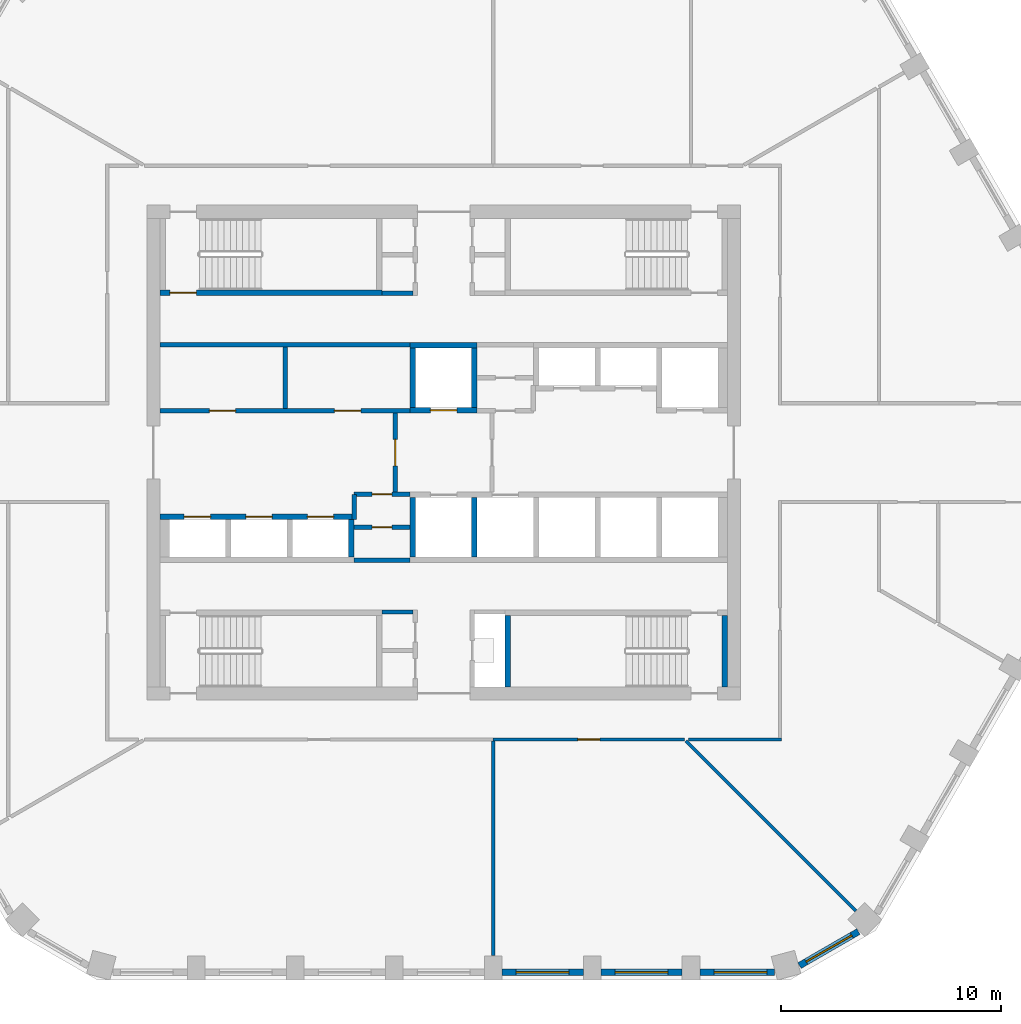
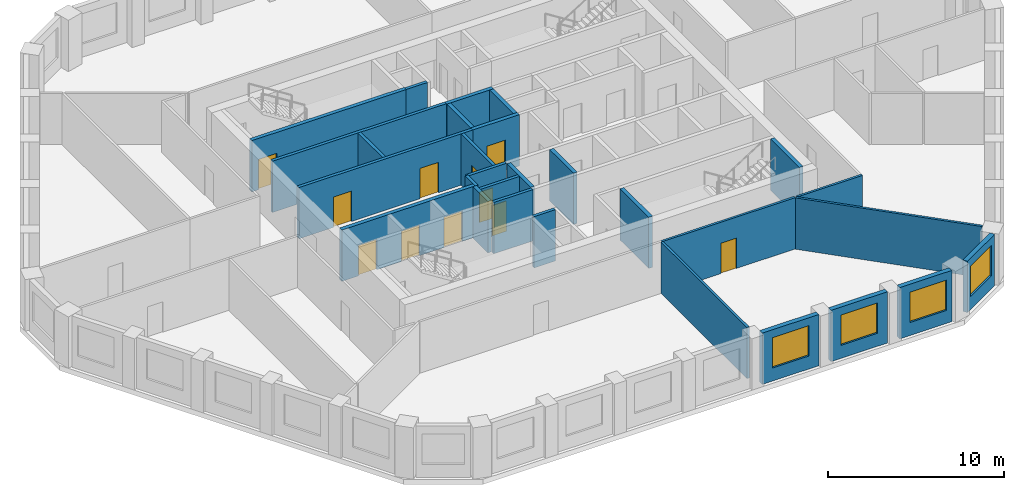
# One storey, part 3 of 8: 29 walls, 11 doors, 4 windows, 15 openings.
"""IFC4 building model written with IfcOpenShell, lengths in metres."""

from ifc_helpers import new_model, si_unit, direction, frame, frame_2d, origin, place, context, subcontext, project, spatial, polyline, rectangle, outline, extrude, material, layer, layer_set, type_object, element, fill, save


model = new_model("IFC4")

# Units and contexts
model_context = context("Model", 3, precision=1e-05, world=origin(), true_north=direction((0.0, 1.0)))
body_context = subcontext(model_context, "Body", "Model", "MODEL_VIEW")
ifc_project = project(units=[si_unit("LENGTHUNIT", "METRE"), si_unit("AREAUNIT", "SQUARE_METRE"), si_unit("VOLUMEUNIT", "CUBIC_METRE"), si_unit("PLANEANGLEUNIT", "RADIAN"), si_unit("MASSUNIT", "GRAM", prefix="KILO")], contexts=[model_context])

# Site, building, storey
site_placement = place(None, origin())
site = spatial("IfcSite", under=ifc_project, at=site_placement, CompositionType="ELEMENT")
building_placement = place(site_placement, origin())
building = spatial("IfcBuilding", under=site, at=building_placement, Name="Dhurran Vertical Campus", CompositionType="ELEMENT")
storey_placement = place(building_placement, frame((0.0, 0.0, 222.89990234375)))
storey = spatial("IfcBuildingStorey", under=building, at=storey_placement, Name="L55", CompositionType="ELEMENT", Elevation=222.89990234375)

# Wall, opening, window
ifc_material_1 = material(Name="Precast concrete C50/60", Category="concrete")
ifc_layer_1 = layer(ifc_material_1, 0.300048828125)
ifc_layer_set_1 = layer_set([ifc_layer_1], Name="Precast concrete C50/60")
wall_type_1 = type_object("IfcWallType", Name="Precast spandrel wall 300", PredefinedType="SOLIDWALL", material=ifc_layer_set_1)
wall_1_placement = place(storey_placement, frame((2.650390625, -23.635498046875, 0.0), z_axis=(0.0, 0.0, 1.0), x_axis=(1.0, 0.0, 0.0)))
wall_1 = element("IfcWall", 1, at=wall_1_placement, inside=storey, type_object=wall_type_1, Name="EW1 L55.04", PredefinedType="SOLIDWALL", context=body_context, shape_type="SweptSolid", body=[
    extrude(rectangle(XDim=3.69921875, YDim=0.300048828125, at=frame_2d((1.849609375, 0.0))), origin(), (0.0, 0.0, 1.0), 3.550048828125),
])
opening_1_placement = place(wall_1_placement, frame((0.6494140625, 0.0, 0.89990234375)))
opening_1 = element("IfcOpeningElement", 2, at=opening_1_placement, cuts=wall_1, Name="Opening WT1", PredefinedType="OPENING", context=body_context, shape_type="SweptSolid", body=[
    extrude(rectangle(XDim=2.39990234375, YDim=2.10009765625, at=frame_2d((1.199951171875, 1.050048828125))), frame((0.0, 0.159912109375, 0.0), z_axis=(0.0, -1.0, 0.0), x_axis=(1.0, 0.0, 0.0)), (0.0, 0.0, 1.0), 0.320068359375),
])
ifc_material_2 = material(Name="Aluminium frame with solar-control glass", Category="aluminium")
window_type = type_object("IfcWindowType", Name="Punched window 2400 x 2100", PartitioningType="SINGLE_PANEL", PredefinedType="WINDOW", material=ifc_material_2)
window_1_placement = place(opening_1_placement, origin())
window_1 = element("IfcWindow", 3, at=window_1_placement, inside=storey, type_object=window_type, Name="WT1 L55.04", OverallHeight=2.10009765625, OverallWidth=2.39990234375, PartitioningType="SINGLE_PANEL", PredefinedType="WINDOW", context=body_context, shape_type="SweptSolid", body=[
    extrude(rectangle(XDim=2.39990234375, YDim=2.10009765625, at=frame_2d((1.199951171875, 1.050048828125))), frame((0.0, 0.030029296875, 0.0), z_axis=(0.0, -1.0, 0.0), x_axis=(1.0, 0.0, 0.0)), (0.0, 0.0, 1.0), 0.06005859375),
])
fill(opening_1, window_1)

wall_2_placement = place(storey_placement, frame((7.150390625, -23.635498046875, 0.0), z_axis=(0.0, 0.0, 1.0), x_axis=(1.0, 0.0, 0.0)))
wall_2 = element("IfcWall", 4, at=wall_2_placement, inside=storey, type_object=wall_type_1, Name="EW1 L55.05", PredefinedType="SOLIDWALL", context=body_context, shape_type="SweptSolid", body=[
    extrude(rectangle(XDim=3.69921875, YDim=0.300048828125, at=frame_2d((1.849609375, 0.0))), origin(), (0.0, 0.0, 1.0), 3.550048828125),
])
opening_2_placement = place(wall_2_placement, frame((0.6494140625, 0.0, 0.89990234375)))
opening_2 = element("IfcOpeningElement", 5, at=opening_2_placement, cuts=wall_2, Name="Opening WT1", PredefinedType="OPENING", context=body_context, shape_type="SweptSolid", body=[
    extrude(rectangle(XDim=2.39990234375, YDim=2.10009765625, at=frame_2d((1.199951171875, 1.050048828125))), frame((0.0, 0.159912109375, 0.0), z_axis=(0.0, -1.0, 0.0), x_axis=(1.0, 0.0, 0.0)), (0.0, 0.0, 1.0), 0.320068359375),
])
window_2_placement = place(opening_2_placement, origin())
window_2 = element("IfcWindow", 6, at=window_2_placement, inside=storey, type_object=window_type, Name="WT1 L55.05", OverallHeight=2.10009765625, OverallWidth=2.39990234375, PartitioningType="SINGLE_PANEL", PredefinedType="WINDOW", context=body_context, shape_type="SweptSolid", body=[
    extrude(rectangle(XDim=2.39990234375, YDim=2.10009765625, at=frame_2d((1.199951171875, 1.050048828125))), frame((0.0, 0.030029296875, 0.0), z_axis=(0.0, -1.0, 0.0), x_axis=(1.0, 0.0, 0.0)), (0.0, 0.0, 1.0), 0.06005859375),
])
fill(opening_2, window_2)

wall_3_placement = place(storey_placement, frame((11.650390625, -23.635498046875, 0.0), z_axis=(0.0, 0.0, 1.0), x_axis=(1.0, 0.0, 0.0)))
wall_3 = element("IfcWall", 7, at=wall_3_placement, inside=storey, type_object=wall_type_1, Name="EW1 L55.06", PredefinedType="SOLIDWALL", context=body_context, shape_type="SweptSolid", body=[
    extrude(rectangle(XDim=3.39599609375, YDim=0.300048828125, at=frame_2d((1.697998046875, 0.0))), origin(), (0.0, 0.0, 1.0), 3.550048828125),
])
opening_3_placement = place(wall_3_placement, frame((0.6494140625, 0.0, 0.89990234375)))
opening_3 = element("IfcOpeningElement", 8, at=opening_3_placement, cuts=wall_3, Name="Opening WT1", PredefinedType="OPENING", context=body_context, shape_type="SweptSolid", body=[
    extrude(rectangle(XDim=2.39990234375, YDim=2.10009765625, at=frame_2d((1.199951171875, 1.050048828125))), frame((0.0, 0.159912109375, 0.0), z_axis=(0.0, -1.0, 0.0), x_axis=(1.0, 0.0, 0.0)), (0.0, 0.0, 1.0), 0.320068359375),
])
window_3_placement = place(opening_3_placement, origin())
window_3 = element("IfcWindow", 9, at=window_3_placement, inside=storey, type_object=window_type, Name="WT1 L55.06", OverallHeight=2.10009765625, OverallWidth=2.39990234375, PartitioningType="SINGLE_PANEL", PredefinedType="WINDOW", context=body_context, shape_type="SweptSolid", body=[
    extrude(rectangle(XDim=2.39990234375, YDim=2.10009765625, at=frame_2d((1.199951171875, 1.050048828125))), frame((0.0, 0.030029296875, 0.0), z_axis=(0.0, -1.0, 0.0), x_axis=(1.0, 0.0, 0.0)), (0.0, 0.0, 1.0), 0.06005859375),
])
fill(opening_3, window_3)

wall_4_placement = place(storey_placement, frame((16.184326171875, -23.330810546875, 0.0), z_axis=(0.0, 0.0, 1.0), x_axis=(0.865994975416, 0.500052699777, 0.0)))
wall_4 = element("IfcWall", 10, at=wall_4_placement, inside=storey, type_object=wall_type_1, Name="EW1 L55.07", PredefinedType="SOLIDWALL", context=body_context, shape_type="SweptSolid", body=[
    extrude(rectangle(XDim=3.093017578125, YDim=0.300048828125, at=frame_2d((1.54638671875, 0.0))), origin(), (0.0, 0.0, 1.0), 3.550048828125),
])
opening_4_placement = place(wall_4_placement, frame((0.346435546875, 0.0, 0.89990234375)))
opening_4 = element("IfcOpeningElement", 11, at=opening_4_placement, cuts=wall_4, Name="Opening WT1", PredefinedType="OPENING", context=body_context, shape_type="SweptSolid", body=[
    extrude(rectangle(XDim=2.39990234375, YDim=2.10009765625, at=frame_2d((1.199951171875, 1.050048828125))), frame((0.0, 0.159912109375, 0.0), z_axis=(0.0, -1.0, 0.0), x_axis=(1.0, 0.0, 0.0)), (0.0, 0.0, 1.0), 0.320068359375),
])
window_4_placement = place(opening_4_placement, origin())
window_4 = element("IfcWindow", 12, at=window_4_placement, inside=storey, type_object=window_type, Name="WT1 L55.07", OverallHeight=2.10009765625, OverallWidth=2.39990234375, PartitioningType="SINGLE_PANEL", PredefinedType="WINDOW", context=body_context, shape_type="SweptSolid", body=[
    extrude(rectangle(XDim=2.39990234375, YDim=2.10009765625, at=frame_2d((1.199951171875, 1.050048828125))), frame((0.0, 0.030029296875, 0.0), z_axis=(0.0, -1.0, 0.0), x_axis=(1.0, 0.0, 0.0)), (0.0, 0.0, 1.0), 0.06005859375),
])
fill(opening_4, window_4)

# Wall, opening, door
ifc_material_3 = material(Name="Fire-rated masonry blockwork", Category="masonry")
ifc_layer_2 = layer(ifc_material_3, 0.199951171875)
ifc_layer_set_2 = layer_set([ifc_layer_2], Name="Fire-rated masonry blockwork")
wall_type_2 = type_object("IfcWallType", Name="co-FIRE-PARTITION-200", PredefinedType="PARTITIONING", material=ifc_layer_set_2)
wall_5_placement = place(storey_placement, frame((-2.199951171875, -1.800048828125, 0.0), z_axis=(0.0, 0.0, 1.0), x_axis=(0.0, 1.0, 0.0)))
wall_5 = element("IfcWall", 13, at=wall_5_placement, inside=storey, type_object=wall_type_2, Name="Firefighting lobby wall W L55", PredefinedType="PARTITIONING", context=body_context, shape_type="SweptSolid", body=[
    extrude(rectangle(XDim=3.60009765625, YDim=0.199951171875, at=frame_2d((1.800048828125, 0.0))), origin(), (0.0, 0.0, 1.0), 3.550048828125),
])
opening_5_placement = place(wall_5_placement, frame((1.199951171875, 0.0, 0.0)))
opening_5 = element("IfcOpeningElement", 14, at=opening_5_placement, cuts=wall_5, Name="Opening FL1", PredefinedType="OPENING", context=body_context, shape_type="SweptSolid", body=[
    extrude(rectangle(XDim=1.199951171875, YDim=2.10009765625, at=frame_2d((0.60009765625, 1.050048828125))), frame((0.0, 0.10986328125, 0.0), z_axis=(0.0, -1.0, 0.0), x_axis=(1.0, 0.0, 0.0)), (0.0, 0.0, 1.0), 0.219970703125),
])
ifc_material_4 = material(Name="Fire-rated steel door set", Category="steel")
door_type_1 = type_object("IfcDoorType", Name="co-D-FFLOBBY 1200x2100", OperationType="SINGLE_SWING_LEFT", PredefinedType="DOOR", material=ifc_material_4)
door_1_placement = place(opening_5_placement, origin())
door_1 = element("IfcDoor", 15, at=door_1_placement, inside=storey, type_object=door_type_1, Name="Firefighting lobby door W L55", OperationType="SINGLE_SWING_LEFT", OverallHeight=2.10009765625, OverallWidth=1.199951171875, PredefinedType="DOOR", context=body_context, shape_type="SweptSolid", body=[
    extrude(rectangle(XDim=1.199951171875, YDim=2.10009765625, at=frame_2d((0.60009765625, 1.050048828125))), frame((0.0, 0.02490234375, 0.0), z_axis=(0.0, -1.0, 0.0), x_axis=(1.0, 0.0, 0.0)), (0.0, 0.0, 1.0), 0.050048828125),
])
fill(opening_5, door_1)

# Walls
for number, where, z_axis, x_axis, name in (
    (16, (-2.800048828125, 7.25, 0.0), (0.0, 0.0, 1.0), (1.0, 0.0, 0.0), "Core partition sl-NW-S L55"),
    (17, (-2.800048828125, -7.25, 0.0), (0.0, 0.0, 1.0), (1.0, 0.0, 0.0), "Core partition sl-SW-S L55"),
):
    element("IfcWall", number, at=place(storey_placement, frame(where, z_axis=z_axis, x_axis=x_axis)), inside=storey, type_object=wall_type_2, Name=name, PredefinedType="PARTITIONING", context=body_context, shape_type="SweptSolid", body=[
        extrude(rectangle(XDim=1.400146484375, YDim=0.199951171875, at=frame_2d((0.7001953125, 0.0))), origin(), (0.0, 0.0, 1.0), 3.550048828125),
    ])
wall_6_placement = place(storey_placement, frame((-7.21240234375, 2.0, 0.0), z_axis=(0.0, 0.0, 1.0), x_axis=(0.0, 1.0, 0.0)))
element("IfcWall", 18, at=wall_6_placement, inside=storey, type_object=wall_type_2, Name="Core partition fr-N0-cut0 L55", PredefinedType="PARTITIONING", context=body_context, shape_type="SweptSolid", body=[
    extrude(rectangle(XDim=2.800048828125, YDim=0.199951171875, at=frame_2d((1.39990234375, 0.0))), origin(), (0.0, 0.0, 1.0), 3.550048828125),
])

# Wall, openings, doors
wall_7_placement = place(storey_placement, frame((-12.89990234375, 1.89990234375, 0.0), z_axis=(0.0, 0.0, 1.0), x_axis=(1.0, 0.0, 0.0)))
wall_7 = element("IfcWall", 19, at=wall_7_placement, inside=storey, type_object=wall_type_2, Name="Core partition fr-N0-f L55", PredefinedType="PARTITIONING", context=body_context, shape_type="SweptSolid", body=[
    extrude(rectangle(XDim=11.375, YDim=0.199951171875, at=frame_2d((5.6875, 0.0))), origin(), (0.0, 0.0, 1.0), 3.550048828125),
])
opening_6_placement = place(wall_7_placement, frame((2.243896484375, 0.0, 0.0)))
opening_6 = element("IfcOpeningElement", 20, at=opening_6_placement, cuts=wall_7, Name="Opening T16-C8", PredefinedType="OPENING", context=body_context, shape_type="SweptSolid", body=[
    extrude(rectangle(XDim=1.199951171875, YDim=2.10009765625, at=frame_2d((0.60009765625, 1.050048828125))), frame((0.0, 0.10986328125, 0.0), z_axis=(0.0, -1.0, 0.0), x_axis=(1.0, 0.0, 0.0)), (0.0, 0.0, 1.0), 0.219970703125),
])
opening_7_placement = place(wall_7_placement, frame((7.931396484375, 0.0, 0.0)))
opening_7 = element("IfcOpeningElement", 21, at=opening_7_placement, cuts=wall_7, Name="Opening T16-C9", PredefinedType="OPENING", context=body_context, shape_type="SweptSolid", body=[
    extrude(rectangle(XDim=1.199951171875, YDim=2.10009765625, at=frame_2d((0.60009765625, 1.050048828125))), frame((0.0, 0.10986328125, 0.0), z_axis=(0.0, -1.0, 0.0), x_axis=(1.0, 0.0, 0.0)), (0.0, 0.0, 1.0), 0.219970703125),
])
ifc_material_5 = material(Name="Fire-rated steel door set", Category="steel")
door_type_2 = type_object("IfcDoorType", Name="co-D-ROOM-PASSAGE 1200x2100", OperationType="SINGLE_SWING_RIGHT", PredefinedType="DOOR", material=ifc_material_5)
door_2_placement = place(opening_6_placement, origin())
door_2 = element("IfcDoor", 22, at=door_2_placement, inside=storey, type_object=door_type_2, Name="Pantry door L55", OperationType="SINGLE_SWING_RIGHT", OverallHeight=2.10009765625, OverallWidth=1.199951171875, PredefinedType="DOOR", context=body_context, shape_type="SweptSolid", body=[
    extrude(rectangle(XDim=1.199951171875, YDim=2.10009765625, at=frame_2d((0.60009765625, 1.050048828125))), frame((0.0, 0.02490234375, 0.0), z_axis=(0.0, -1.0, 0.0), x_axis=(1.0, 0.0, 0.0)), (0.0, 0.0, 1.0), 0.050048828125),
])
fill(opening_6, door_2)
door_3_placement = place(opening_7_placement, origin())
door_3 = element("IfcDoor", 23, at=door_3_placement, inside=storey, type_object=door_type_2, Name="Print room door L55", OperationType="SINGLE_SWING_RIGHT", OverallHeight=2.10009765625, OverallWidth=1.199951171875, PredefinedType="DOOR", context=body_context, shape_type="SweptSolid", body=[
    extrude(rectangle(XDim=1.199951171875, YDim=2.10009765625, at=frame_2d((0.60009765625, 1.050048828125))), frame((0.0, 0.02490234375, 0.0), z_axis=(0.0, -1.0, 0.0), x_axis=(1.0, 0.0, 0.0)), (0.0, 0.0, 1.0), 0.050048828125),
])
fill(opening_7, door_3)

# Wall
wall_8_placement = place(storey_placement, frame((-12.89990234375, 4.89990234375, 0.0), z_axis=(0.0, 0.0, 1.0), x_axis=(1.0, 0.0, 0.0)))
element("IfcWall", 24, at=wall_8_placement, inside=storey, type_object=wall_type_2, Name="Core partition fr-N0-b L55", PredefinedType="PARTITIONING", context=body_context, shape_type="SweptSolid", body=[
    extrude(rectangle(XDim=11.375, YDim=0.199951171875, at=frame_2d((5.6875, 0.0))), origin(), (0.0, 0.0, 1.0), 3.550048828125),
])

# Wall, opening, door
wall_9_placement = place(storey_placement, frame((-4.074951171875, -3.39990234375, 0.0), z_axis=(0.0, 0.0, 1.0), x_axis=(1.0, 0.0, 0.0)))
wall_9 = element("IfcWall", 25, at=wall_9_placement, inside=storey, type_object=wall_type_2, Name="Core partition fr-S0-c L55", PredefinedType="PARTITIONING", context=body_context, shape_type="SweptSolid", body=[
    extrude(rectangle(XDim=2.550048828125, YDim=0.199951171875, at=frame_2d((1.27490234375, 0.0))), origin(), (0.0, 0.0, 1.0), 3.550048828125),
])
opening_8_placement = place(wall_9_placement, frame((0.824951171875, 0.0, 0.0)))
opening_8 = element("IfcOpeningElement", 26, at=opening_8_placement, cuts=wall_9, Name="Opening T16-C12", PredefinedType="OPENING", context=body_context, shape_type="SweptSolid", body=[
    extrude(rectangle(XDim=0.89990234375, YDim=2.10009765625, at=frame_2d((0.449951171875, 1.050048828125))), frame((0.0, 0.10986328125, 0.0), z_axis=(0.0, -1.0, 0.0), x_axis=(1.0, 0.0, 0.0)), (0.0, 0.0, 1.0), 0.219970703125),
])
ifc_material_6 = material(Name="Fire-rated timber door set", Category="wood")
door_type_3 = type_object("IfcDoorType", Name="co-D-ROOM 900x2100", OperationType="SINGLE_SWING_LEFT", PredefinedType="DOOR", material=ifc_material_6)
door_4_placement = place(opening_8_placement, origin())
door_4 = element("IfcDoor", 27, at=door_4_placement, inside=storey, type_object=door_type_3, Name="Cleaner's store door L55", OperationType="SINGLE_SWING_LEFT", OverallHeight=2.10009765625, OverallWidth=0.89990234375, PredefinedType="DOOR", context=body_context, shape_type="SweptSolid", body=[
    extrude(rectangle(XDim=0.89990234375, YDim=2.10009765625, at=frame_2d((0.449951171875, 1.050048828125))), frame((0.0, 0.02490234375, 0.0), z_axis=(0.0, -1.0, 0.0), x_axis=(1.0, 0.0, 0.0)), (0.0, 0.0, 1.0), 0.050048828125),
])
fill(opening_8, door_4)

wall_10_placement = place(storey_placement, frame((-4.074951171875, -1.89990234375, 0.0), z_axis=(0.0, 0.0, 1.0), x_axis=(1.0, 0.0, 0.0)))
wall_10 = element("IfcWall", 28, at=wall_10_placement, inside=storey, type_object=wall_type_2, Name="Core partition fr-S0-f L55", PredefinedType="PARTITIONING", context=body_context, shape_type="SweptSolid", body=[
    extrude(rectangle(XDim=2.550048828125, YDim=0.199951171875, at=frame_2d((1.27490234375, 0.0))), origin(), (0.0, 0.0, 1.0), 3.550048828125),
])
opening_9_placement = place(wall_10_placement, frame((0.824951171875, 0.0, 0.0)))
opening_9 = element("IfcOpeningElement", 29, at=opening_9_placement, cuts=wall_10, Name="Opening T16-C13", PredefinedType="OPENING", context=body_context, shape_type="SweptSolid", body=[
    extrude(rectangle(XDim=0.89990234375, YDim=2.10009765625, at=frame_2d((0.449951171875, 1.050048828125))), frame((0.0, 0.10986328125, 0.0), z_axis=(0.0, -1.0, 0.0), x_axis=(1.0, 0.0, 0.0)), (0.0, 0.0, 1.0), 0.219970703125),
])
door_5_placement = place(opening_9_placement, origin())
door_5 = element("IfcDoor", 30, at=door_5_placement, inside=storey, type_object=door_type_3, Name="Print room door L55", OperationType="SINGLE_SWING_LEFT", OverallHeight=2.10009765625, OverallWidth=0.89990234375, PredefinedType="DOOR", context=body_context, shape_type="SweptSolid", body=[
    extrude(rectangle(XDim=0.89990234375, YDim=2.10009765625, at=frame_2d((0.449951171875, 1.050048828125))), frame((0.0, 0.02490234375, 0.0), z_axis=(0.0, -1.0, 0.0), x_axis=(1.0, 0.0, 0.0)), (0.0, 0.0, 1.0), 0.050048828125),
])
fill(opening_9, door_5)

# Walls
wall_11_placement = place(storey_placement, frame((-4.074951171875, -4.89990234375, 0.0), z_axis=(0.0, 0.0, 1.0), x_axis=(1.0, 0.0, 0.0)))
element("IfcWall", 31, at=wall_11_placement, inside=storey, type_object=wall_type_2, Name="Core partition fr-S0-b L55", PredefinedType="PARTITIONING", context=body_context, shape_type="SweptSolid", body=[
    extrude(rectangle(XDim=2.550048828125, YDim=0.199951171875, at=frame_2d((1.27490234375, 0.0))), origin(), (0.0, 0.0, 1.0), 3.550048828125),
])
wall_12_placement = place(storey_placement, frame((-4.074951171875, -1.89990234375, 0.0), z_axis=(0.0, 0.0, 1.0), x_axis=(0.0, -1.0, 0.0)))
element("IfcWall", 32, at=wall_12_placement, inside=storey, type_object=wall_type_2, Name="Core partition fr-S0-n0 L55", PredefinedType="PARTITIONING", context=body_context, shape_type="SweptSolid", body=[
    extrude(rectangle(XDim=1.150146484375, YDim=0.199951171875, at=frame_2d((0.5751953125, 0.0))), origin(), (0.0, 0.0, 1.0), 3.550048828125),
])

# Wall, opening, door
ifc_material_7 = material(Name="Concrete C50/60", Category="concrete")
ifc_layer_3 = layer(ifc_material_7, 0.25)
ifc_layer_set_3 = layer_set([ifc_layer_3], Name="Concrete C50/60")
wall_type_3 = type_object("IfcWallType", Name="co-SHAFT-FRONT-250", PredefinedType="SHEAR", material=ifc_layer_set_3)
wall_13_placement = place(storey_placement, frame((-1.52490234375, 1.925048828125, 0.0), z_axis=(0.0, 0.0, 1.0), x_axis=(1.0, 0.0, 0.0)))
wall_13 = element("IfcWall", 33, at=wall_13_placement, inside=storey, type_object=wall_type_3, Name="Lift landing wall N L55", PredefinedType="SHEAR", context=body_context, shape_type="SweptSolid", body=[
    extrude(rectangle(XDim=3.0498046875, YDim=0.25, at=frame_2d((1.52490234375, 0.0))), origin(), (0.0, 0.0, 1.0), 3.550048828125),
])
opening_10_placement = place(wall_13_placement, frame((0.925048828125, 0.0, 0.0)))
opening_10 = element("IfcOpeningElement", 34, at=opening_10_placement, cuts=wall_13, Name="Opening LD", PredefinedType="OPENING", context=body_context, shape_type="SweptSolid", body=[
    extrude(rectangle(XDim=1.199951171875, YDim=2.10009765625, at=frame_2d((0.60009765625, 1.050048828125))), frame((0.0, 0.135009765625, 0.0), z_axis=(0.0, -1.0, 0.0), x_axis=(1.0, 0.0, 0.0)), (0.0, 0.0, 1.0), 0.27001953125),
])
ifc_material_8 = material(Name="Stainless steel landing door", Category="steel")
door_type_4 = type_object("IfcDoorType", Name="co-D-LANDING 1200x2100", OperationType="DOUBLE_DOOR_SLIDING", PredefinedType="DOOR", material=ifc_material_8)
door_6_placement = place(opening_10_placement, origin())
door_6 = element("IfcDoor", 35, at=door_6_placement, inside=storey, type_object=door_type_4, Name="Landing door FF1 L55", OperationType="DOUBLE_DOOR_SLIDING", OverallHeight=2.10009765625, OverallWidth=1.199951171875, PredefinedType="DOOR", context=body_context, shape_type="SweptSolid", body=[
    extrude(rectangle(XDim=1.199951171875, YDim=2.10009765625, at=frame_2d((0.60009765625, 1.050048828125))), frame((0.0, 0.02490234375, 0.0), z_axis=(0.0, -1.0, 0.0), x_axis=(1.0, 0.0, 0.0)), (0.0, 0.0, 1.0), 0.050048828125),
])
fill(opening_10, door_6)

# Wall, openings, doors
wall_14_placement = place(storey_placement, frame((-12.89990234375, -2.925048828125, 0.0), z_axis=(0.0, 0.0, 1.0), x_axis=(1.0, 0.0, 0.0)))
wall_14 = element("IfcWall", 36, at=wall_14_placement, inside=storey, type_object=wall_type_3, Name="Lift landing wall S L55", PredefinedType="SHEAR", context=body_context, shape_type="SweptSolid", body=[
    extrude(rectangle(XDim=8.824951171875, YDim=0.25, at=frame_2d((4.41259765625, 0.0))), origin(), (0.0, 0.0, 1.0), 3.550048828125),
])
opening_11_placement = place(wall_14_placement, frame((1.10009765625, 0.0, 0.0)))
opening_11 = element("IfcOpeningElement", 37, at=opening_11_placement, cuts=wall_14, Name="Opening LD", PredefinedType="OPENING", context=body_context, shape_type="SweptSolid", body=[
    extrude(rectangle(XDim=1.199951171875, YDim=2.10009765625, at=frame_2d((0.60009765625, 1.050048828125))), frame((0.0, 0.135009765625, 0.0), z_axis=(0.0, -1.0, 0.0), x_axis=(1.0, 0.0, 0.0)), (0.0, 0.0, 1.0), 0.27001953125),
])
opening_12_placement = place(wall_14_placement, frame((3.89990234375, 0.0, 0.0)))
opening_12 = element("IfcOpeningElement", 38, at=opening_12_placement, cuts=wall_14, Name="Opening LD", PredefinedType="OPENING", context=body_context, shape_type="SweptSolid", body=[
    extrude(rectangle(XDim=1.199951171875, YDim=2.10009765625, at=frame_2d((0.60009765625, 1.050048828125))), frame((0.0, 0.135009765625, 0.0), z_axis=(0.0, -1.0, 0.0), x_axis=(1.0, 0.0, 0.0)), (0.0, 0.0, 1.0), 0.27001953125),
])
opening_13_placement = place(wall_14_placement, frame((6.699951171875, 0.0, 0.0)))
opening_13 = element("IfcOpeningElement", 39, at=opening_13_placement, cuts=wall_14, Name="Opening LD", PredefinedType="OPENING", context=body_context, shape_type="SweptSolid", body=[
    extrude(rectangle(XDim=1.199951171875, YDim=2.10009765625, at=frame_2d((0.60009765625, 1.050048828125))), frame((0.0, 0.135009765625, 0.0), z_axis=(0.0, -1.0, 0.0), x_axis=(1.0, 0.0, 0.0)), (0.0, 0.0, 1.0), 0.27001953125),
])
door_7_placement = place(opening_11_placement, origin())
door_7 = element("IfcDoor", 40, at=door_7_placement, inside=storey, type_object=door_type_4, Name="Landing door MR3 L55", OperationType="DOUBLE_DOOR_SLIDING", OverallHeight=2.10009765625, OverallWidth=1.199951171875, PredefinedType="DOOR", context=body_context, shape_type="SweptSolid", body=[
    extrude(rectangle(XDim=1.199951171875, YDim=2.10009765625, at=frame_2d((0.60009765625, 1.050048828125))), frame((0.0, 0.02490234375, 0.0), z_axis=(0.0, -1.0, 0.0), x_axis=(1.0, 0.0, 0.0)), (0.0, 0.0, 1.0), 0.050048828125),
])
fill(opening_11, door_7)
door_8_placement = place(opening_12_placement, origin())
door_8 = element("IfcDoor", 41, at=door_8_placement, inside=storey, type_object=door_type_4, Name="Landing door MR4 L55", OperationType="DOUBLE_DOOR_SLIDING", OverallHeight=2.10009765625, OverallWidth=1.199951171875, PredefinedType="DOOR", context=body_context, shape_type="SweptSolid", body=[
    extrude(rectangle(XDim=1.199951171875, YDim=2.10009765625, at=frame_2d((0.60009765625, 1.050048828125))), frame((0.0, 0.02490234375, 0.0), z_axis=(0.0, -1.0, 0.0), x_axis=(1.0, 0.0, 0.0)), (0.0, 0.0, 1.0), 0.050048828125),
])
fill(opening_12, door_8)
door_9_placement = place(opening_13_placement, origin())
door_9 = element("IfcDoor", 42, at=door_9_placement, inside=storey, type_object=door_type_4, Name="Landing door MR5 L55", OperationType="DOUBLE_DOOR_SLIDING", OverallHeight=2.10009765625, OverallWidth=1.199951171875, PredefinedType="DOOR", context=body_context, shape_type="SweptSolid", body=[
    extrude(rectangle(XDim=1.199951171875, YDim=2.10009765625, at=frame_2d((0.60009765625, 1.050048828125))), frame((0.0, 0.02490234375, 0.0), z_axis=(0.0, -1.0, 0.0), x_axis=(1.0, 0.0, 0.0)), (0.0, 0.0, 1.0), 0.050048828125),
])
fill(opening_13, door_9)

# Walls
ifc_material_9 = material(Name="Concrete C50/60", Category="concrete")
ifc_layer_4 = layer(ifc_material_9, 0.25)
ifc_layer_set_4 = layer_set([ifc_layer_4], Name="Concrete C50/60")
wall_type_4 = type_object("IfcWallType", Name="co-SHAFT-MASS-250", PredefinedType="SHEAR", material=ifc_layer_set_4)
wall_15_placement = place(storey_placement, origin())
element("IfcWall", 43, at=wall_15_placement, inside=storey, type_object=wall_type_4, Name="Lift shaft wall N L55 1", PredefinedType="SHEAR", context=body_context, shape_type="SweptSolid", body=[
    extrude(outline(polyline([(-1.52490234375, 4.75), (1.52490234375, 4.75), (1.52490234375, 5.0), (-1.52490234375, 5.0), (-1.52490234375, 4.75)])), origin(), (0.0, 0.0, 1.0), 3.550048828125),
])
wall_16_placement = place(storey_placement, origin())
element("IfcWall", 44, at=wall_16_placement, inside=storey, type_object=wall_type_4, Name="Lift shaft wall N L55 3", PredefinedType="SHEAR", context=body_context, shape_type="SweptSolid", body=[
    extrude(outline(polyline([(-1.52490234375, 2.050048828125), (-1.27490234375, 2.050048828125), (-1.27490234375, 4.75), (-1.52490234375, 4.75), (-1.52490234375, 2.050048828125)])), origin(), (0.0, 0.0, 1.0), 3.550048828125),
])
wall_17_placement = place(storey_placement, origin())
element("IfcWall", 45, at=wall_17_placement, inside=storey, type_object=wall_type_4, Name="Lift shaft wall N L55 4", PredefinedType="SHEAR", context=body_context, shape_type="SweptSolid", body=[
    extrude(outline(polyline([(1.27490234375, 2.050048828125), (1.52490234375, 2.050048828125), (1.52490234375, 4.75), (1.27490234375, 4.75), (1.27490234375, 2.050048828125)])), origin(), (0.0, 0.0, 1.0), 3.550048828125),
])
wall_18_placement = place(storey_placement, origin())
element("IfcWall", 46, at=wall_18_placement, inside=storey, type_object=wall_type_4, Name="Lift shaft wall S L55 6", PredefinedType="SHEAR", context=body_context, shape_type="SweptSolid", body=[
    extrude(outline(polyline([(-4.324951171875, -4.75), (-4.074951171875, -4.75), (-4.074951171875, -3.050048828125), (-4.324951171875, -3.050048828125), (-4.324951171875, -4.75)])), origin(), (0.0, 0.0, 1.0), 3.550048828125),
])
wall_19_placement = place(storey_placement, origin())
element("IfcWall", 47, at=wall_19_placement, inside=storey, type_object=wall_type_4, Name="Lift shaft wall S L55 7", PredefinedType="SHEAR", context=body_context, shape_type="SweptSolid", body=[
    extrude(outline(polyline([(-1.52490234375, -4.75), (-1.27490234375, -4.75), (-1.27490234375, -2.050048828125), (-1.52490234375, -2.050048828125), (-1.52490234375, -4.75)])), origin(), (0.0, 0.0, 1.0), 3.550048828125),
])
wall_20_placement = place(storey_placement, origin())
element("IfcWall", 48, at=wall_20_placement, inside=storey, type_object=wall_type_4, Name="Lift shaft wall S L55 8", PredefinedType="SHEAR", context=body_context, shape_type="SweptSolid", body=[
    extrude(outline(polyline([(1.27490234375, -4.75), (1.52490234375, -4.75), (1.52490234375, -2.050048828125), (1.27490234375, -2.050048828125), (1.27490234375, -4.75)])), origin(), (0.0, 0.0, 1.0), 3.550048828125),
])

# Wall, opening, door
ifc_material_10 = material(Name="Concrete C40/50", Category="concrete")
ifc_layer_5 = layer(ifc_material_10, 0.25)
ifc_layer_set_5 = layer_set([ifc_layer_5], Name="Concrete C40/50")
wall_type_5 = type_object("IfcWallType", Name="co-STAIR-WALL-250", PredefinedType="SHEAR", material=ifc_layer_set_5)
wall_21_placement = place(storey_placement, frame((-12.89990234375, 7.27490234375, 0.0), z_axis=(0.0, 0.0, 1.0), x_axis=(1.0, 0.0, 0.0)))
wall_21 = element("IfcWall", 49, at=wall_21_placement, inside=storey, type_object=wall_type_5, Name="Stair ST1 enclosure wall L55", PredefinedType="SHEAR", context=body_context, shape_type="SweptSolid", body=[
    extrude(rectangle(XDim=10.099853515625, YDim=0.25, at=frame_2d((5.0498046875, 0.0))), origin(), (0.0, 0.0, 1.0), 3.550048828125),
])
opening_14_placement = place(wall_21_placement, frame((0.449951171875, 0.0, 0.0)))
opening_14 = element("IfcOpeningElement", 50, at=opening_14_placement, cuts=wall_21, Name="Opening SD1", PredefinedType="OPENING", context=body_context, shape_type="SweptSolid", body=[
    extrude(rectangle(XDim=1.199951171875, YDim=2.10009765625, at=frame_2d((0.60009765625, 1.050048828125))), frame((0.0, 0.135009765625, 0.0), z_axis=(0.0, -1.0, 0.0), x_axis=(1.0, 0.0, 0.0)), (0.0, 0.0, 1.0), 0.27001953125),
])
ifc_material_11 = material(Name="Fire-rated steel door set", Category="steel")
door_type_5 = type_object("IfcDoorType", Name="co-D-STAIR 1200x2100", OperationType="SINGLE_SWING_LEFT", PredefinedType="DOOR", material=ifc_material_11)
door_10_placement = place(opening_14_placement, origin())
door_10 = element("IfcDoor", 51, at=door_10_placement, inside=storey, type_object=door_type_5, Name="Stair ST1 door L55", OperationType="SINGLE_SWING_LEFT", OverallHeight=2.10009765625, OverallWidth=1.199951171875, PredefinedType="DOOR", context=body_context, shape_type="SweptSolid", body=[
    extrude(rectangle(XDim=1.199951171875, YDim=2.10009765625, at=frame_2d((0.60009765625, 1.050048828125))), frame((0.0, 0.02490234375, 0.0), z_axis=(0.0, -1.0, 0.0), x_axis=(1.0, 0.0, 0.0)), (0.0, 0.0, 1.0), 0.050048828125),
])
fill(opening_14, door_10)

# Walls
for number, where, z_axis, x_axis, name in (
    (52, (2.925048828125, -10.64990234375, 0.0), (0.0, 0.0, 1.0), (0.0, 1.0, 0.0), "Stair ST4 enclosure wall L55"),
    (53, (12.77490234375, -10.64990234375, 0.0), (0.0, 0.0, 1.0), (0.0, 1.0, 0.0), "Stair ST4 enclosure wall L55"),
):
    element("IfcWall", number, at=place(storey_placement, frame(where, z_axis=z_axis, x_axis=x_axis)), inside=storey, type_object=wall_type_5, Name=name, PredefinedType="SHEAR", context=body_context, shape_type="SweptSolid", body=[
        extrude(rectangle(XDim=3.25, YDim=0.25, at=frame_2d((1.625, 0.0))), origin(), (0.0, 0.0, 1.0), 3.550048828125),
    ])

# Wall, opening, door
ifc_material_12 = material(Name="Gypsum board corridor wall on steel studs", Category="steel")
ifc_layer_6 = layer(ifc_material_12, 0.14990234375)
ifc_layer_set_6 = layer_set([ifc_layer_6], Name="Gypsum board corridor wall on steel studs")
wall_type_6 = type_object("IfcWallType", Name="fl-CW-150 corridor wall", PredefinedType="PARTITIONING", material=ifc_layer_set_6)
wall_22_placement = place(storey_placement, frame((2.25, -13.050048828125, 0.0), z_axis=(0.0, 0.0, 1.0), x_axis=(1.0, 0.0, 0.0)))
wall_22 = element("IfcWall", 54, at=wall_22_placement, inside=storey, type_object=wall_type_6, Name="Partition 55-18", PredefinedType="PARTITIONING", context=body_context, shape_type="SweptSolid", body=[
    extrude(rectangle(XDim=8.7119140625, YDim=0.14990234375, at=frame_2d((4.35595703125, 0.0))), origin(), (0.0, 0.0, 1.0), 3.550048828125),
])
opening_15_placement = place(wall_22_placement, frame((3.85595703125, 0.0, 0.0)))
opening_15 = element("IfcOpeningElement", 55, at=opening_15_placement, cuts=wall_22, Name="Opening T16.08", PredefinedType="OPENING", context=body_context, shape_type="SweptSolid", body=[
    extrude(rectangle(XDim=1.0, YDim=2.10009765625, at=frame_2d((0.5, 1.050048828125))), frame((0.0, 0.0849609375, 0.0), z_axis=(0.0, -1.0, 0.0), x_axis=(1.0, 0.0, 0.0)), (0.0, 0.0, 1.0), 0.169921875),
])
ifc_material_13 = material(Name="Solid-core timber door set, fire-rated", Category="wood")
door_type_6 = type_object("IfcDoorType", Name="fl-D-1000x2100", OperationType="SINGLE_SWING_LEFT", PredefinedType="DOOR", material=ifc_material_13)
door_11_placement = place(opening_15_placement, origin())
door_11 = element("IfcDoor", 56, at=door_11_placement, inside=storey, type_object=door_type_6, Name="Door 55.08", OperationType="SINGLE_SWING_RIGHT", OverallHeight=2.10009765625, OverallWidth=1.0, PredefinedType="DOOR", context=body_context, shape_type="SweptSolid", body=[
    extrude(rectangle(XDim=1.0, YDim=2.10009765625, at=frame_2d((0.5, 1.050048828125))), frame((0.0, 0.02490234375, 0.0), z_axis=(0.0, -1.0, 0.0), x_axis=(1.0, 0.0, 0.0)), (0.0, 0.0, 1.0), 0.050048828125),
])
fill(opening_15, door_11)

# Walls
wall_23_placement = place(storey_placement, frame((11.136962890625, -13.050048828125, 0.0), z_axis=(0.0, 0.0, 1.0), x_axis=(1.0, 0.0, 0.0)))
element("IfcWall", 57, at=wall_23_placement, inside=storey, type_object=wall_type_6, Name="Partition 55-21", PredefinedType="PARTITIONING", context=body_context, shape_type="SweptSolid", body=[
    extrude(rectangle(XDim=4.238037109375, YDim=0.14990234375, at=frame_2d((2.119140625, 0.0))), origin(), (0.0, 0.0, 1.0), 3.550048828125),
])
ifc_material_14 = material(Name="Gypsum board partition on steel studs", Category="steel")
ifc_layer_7 = layer(ifc_material_14, 0.14990234375)
ifc_layer_set_7 = layer_set([ifc_layer_7], Name="Gypsum board partition on steel studs")
wall_type_7 = type_object("IfcWallType", Name="fl-PW-150 fixed partition", PredefinedType="PARTITIONING", material=ifc_layer_set_7)
wall_24_placement = place(storey_placement, frame((2.25, -13.125, 0.0), z_axis=(0.0, 0.0, 1.0), x_axis=(0.0, -1.0, 0.0)))
element("IfcWall", 58, at=wall_24_placement, inside=storey, type_object=wall_type_7, Name="Partition 55-17", PredefinedType="PARTITIONING", context=body_context, shape_type="SweptSolid", body=[
    extrude(rectangle(XDim=9.740478515625, YDim=0.14990234375, at=frame_2d((4.8701171875, 0.0))), origin(), (0.0, 0.0, 1.0), 3.550048828125),
])
wall_25_placement = place(storey_placement, frame((11.014892578125, -13.10302734375, 0.0), z_axis=(0.0, 0.0, 1.0), x_axis=(0.707073307884, -0.707140252905, 0.0)))
element("IfcWall", 59, at=wall_25_placement, inside=storey, type_object=wall_type_7, Name="Partition 55-22", PredefinedType="PARTITIONING", context=body_context, shape_type="SweptSolid", body=[
    extrude(rectangle(XDim=10.940673828125, YDim=0.14990234375, at=frame_2d((5.47021484375, 0.0))), origin(), (0.0, 0.0, 1.0), 3.550048828125),
])

save(model, "model.ifc")
